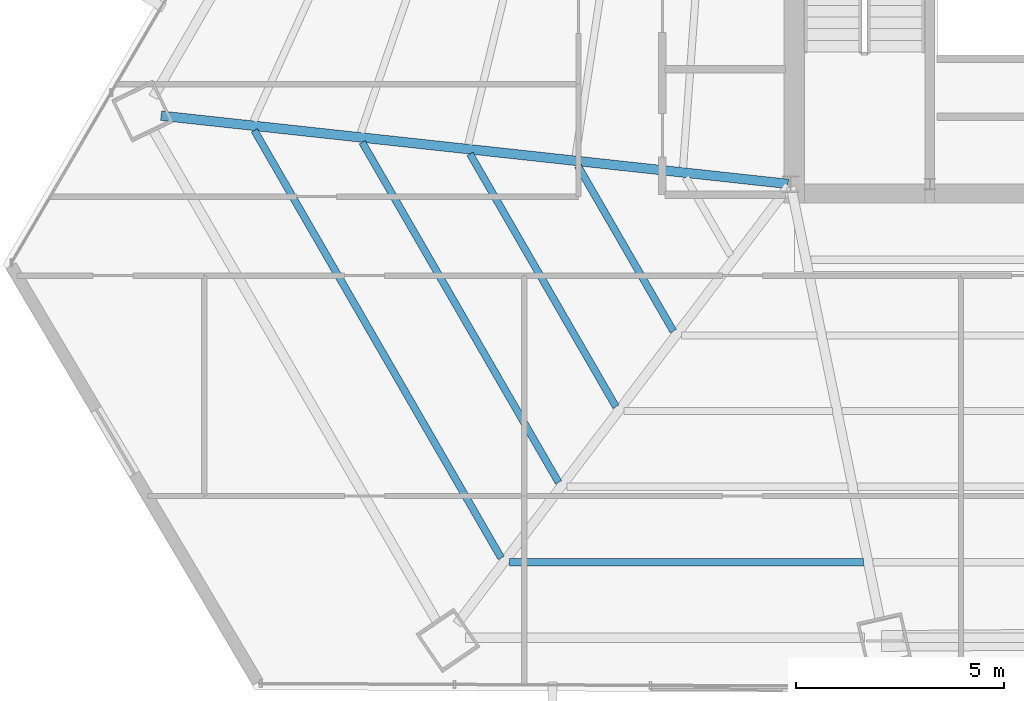
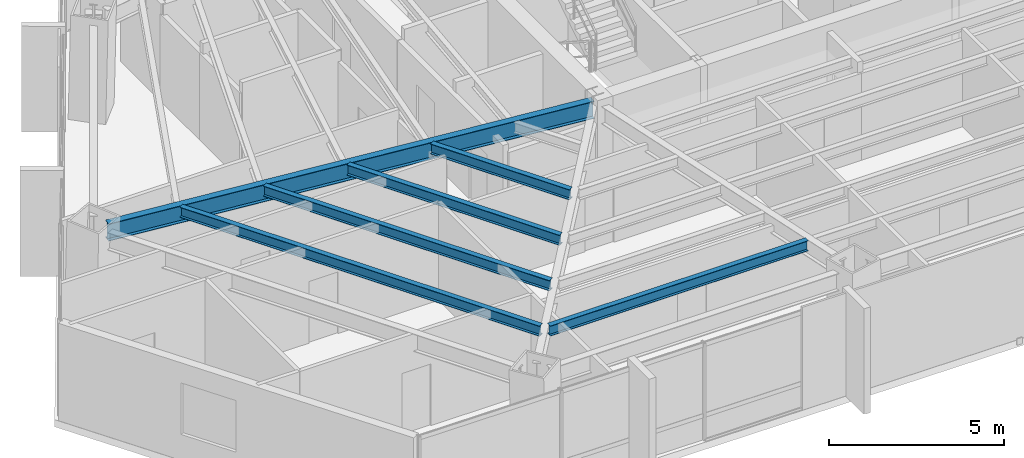
# One storey, part 7 of 35: 6 beams.
"""IFC4 building model written with IfcOpenShell, lengths in metres."""

from ifc_helpers import new_model, si_unit, direction, frame, origin, origin_2d, place, context, subcontext, project, spatial, i_section, extrude, source, transform, mapped, material, material_profile, profile_set, type_object, type_shapes, element, save


model = new_model("IFC4")

# Units and contexts
model_context = context("Model", 3, precision=1e-05, world=origin(), true_north=direction((0.0, 1.0)))
body_context = subcontext(model_context, "Body", "Model", "MODEL_VIEW")
ifc_project = project(units=[si_unit("LENGTHUNIT", "METRE"), si_unit("AREAUNIT", "SQUARE_METRE"), si_unit("VOLUMEUNIT", "CUBIC_METRE"), si_unit("PLANEANGLEUNIT", "RADIAN"), si_unit("MASSUNIT", "GRAM", prefix="KILO")], contexts=[model_context])

# Site, building, storey
site_placement = place(None, origin())
site = spatial("IfcSite", under=ifc_project, at=site_placement, CompositionType="ELEMENT")
building_placement = place(site_placement, origin())
building = spatial("IfcBuilding", under=site, at=building_placement, Name="Caelisora Broadcast Tower", CompositionType="ELEMENT")
storey_placement = place(building_placement, frame((0.0, 0.0, 109.050048828125)))
storey = spatial("IfcBuildingStorey", under=building, at=storey_placement, Name="L28", CompositionType="ELEMENT", Elevation=109.050048828125)

# Beams
ifc_material = material(Name="Steel Grade 350 (AS/NZS 3679.1)", Category="steel")
ifc_material_profile_1 = material_profile(ifc_material, i_section(OverallWidth=0.22802734375, OverallDepth=0.602294921875, WebThickness=0.010498046875, FlangeThickness=0.014892578125, at=origin_2d()), Name="Steel Grade 350 (AS/NZS 3679.1)")
ifc_profile_set_1 = profile_set([ifc_material_profile_1], Name="Steel Grade 350 (AS/NZS 3679.1)")
beam_type_1 = type_object("IfcBeamType", Name="PG04", PredefinedType="BEAM", material=ifc_profile_set_1)
shared_shape_1 = source(origin(), body_context, "Body", "SweptSolid", [
    extrude(i_section(OverallWidth=0.22802734375, OverallDepth=0.602294921875, WebThickness=0.010498046875, FlangeThickness=0.014892578125, at=origin_2d()), origin(), (0.0, 0.0, 1.0), 15.1689453125),
])
type_shapes(beam_type_1, [shared_shape_1])
beam_1_placement = place(storey_placement, frame((30.4404296875, 17.406494140625, 3.098876953125), z_axis=(-0.994133934066, 0.108156003706, 0.0), x_axis=(-0.108156003706, -0.994133934066, 0.0)))
element("IfcBeam", 1, at=beam_1_placement, inside=storey, type_object=beam_type_1, Name="L28 beam PG04", PredefinedType="BEAM", context=body_context, shape_type="MappedRepresentation", body=[
    mapped(shared_shape_1, transform((0.0, 0.0, 0.0), scale=1.0)),
])
ifc_material_profile_2 = material_profile(ifc_material, i_section(OverallWidth=0.172119140625, OverallDepth=0.358642578125, WebThickness=0.008056640625, FlangeThickness=0.012939453125, at=origin_2d()), Name="Steel Grade 350 (AS/NZS 3679.1)")
ifc_profile_set_2 = profile_set([ifc_material_profile_2], Name="Steel Grade 350 (AS/NZS 3679.1)")
beam_type_2 = type_object("IfcBeamType", Name="SB02", PredefinedType="JOIST", material=ifc_profile_set_2)
shared_shape_2 = source(origin(), body_context, "Body", "SweptSolid", [
    extrude(i_section(OverallWidth=0.172119140625, OverallDepth=0.358642578125, WebThickness=0.008056640625, FlangeThickness=0.012939453125, at=origin_2d()), origin(), (0.0, 0.0, 1.0), 4.593505859375),
])
beam_2_placement = place(storey_placement, frame((25.38330078125, 17.844482421875, 3.220703125), z_axis=(0.500026097828, -0.866010335672, 0.0), x_axis=(0.866010335672, 0.500026097828, 0.0)))
element("IfcBeam", 2, at=beam_2_placement, inside=storey, type_object=beam_type_2, Name="L28 beam SB02", PredefinedType="JOIST", context=body_context, shape_type="MappedRepresentation", body=[
    mapped(shared_shape_2, transform((0.0, 0.0, 0.0), scale=1.0)),
])
shared_shape_3 = source(origin(), body_context, "Body", "SweptSolid", [
    extrude(i_section(OverallWidth=0.172119140625, OverallDepth=0.358642578125, WebThickness=0.008056640625, FlangeThickness=0.012939453125, at=origin_2d()), origin(), (0.0, 0.0, 1.0), 7.01953125),
])
beam_3_placement = place(storey_placement, frame((22.79052734375, 18.12646484375, 3.220703125), z_axis=(0.499999433879, -0.866025730634, 0.0), x_axis=(0.866025730634, 0.499999433879, 0.0)))
element("IfcBeam", 3, at=beam_3_placement, inside=storey, type_object=beam_type_2, Name="L28 beam SB02", PredefinedType="JOIST", context=body_context, shape_type="MappedRepresentation", body=[
    mapped(shared_shape_3, transform((0.0, 0.0, 0.0), scale=1.0)),
])
shared_shape_4 = source(origin(), body_context, "Body", "SweptSolid", [
    extrude(i_section(OverallWidth=0.172119140625, OverallDepth=0.358642578125, WebThickness=0.008056640625, FlangeThickness=0.012939453125, at=origin_2d()), origin(), (0.0, 0.0, 1.0), 9.44580078125),
])
beam_4_placement = place(storey_placement, frame((20.19775390625, 18.40869140625, 3.220703125), z_axis=(0.499994660107, -0.866028486751, 0.0), x_axis=(0.866028486751, 0.499994660107, 0.0)))
element("IfcBeam", 4, at=beam_4_placement, inside=storey, type_object=beam_type_2, Name="L28 beam SB02", PredefinedType="JOIST", context=body_context, shape_type="MappedRepresentation", body=[
    mapped(shared_shape_4, transform((0.0, 0.0, 0.0), scale=1.0)),
])
shared_shape_5 = source(origin(), body_context, "Body", "SweptSolid", [
    extrude(i_section(OverallWidth=0.172119140625, OverallDepth=0.358642578125, WebThickness=0.008056640625, FlangeThickness=0.012939453125, at=origin_2d()), origin(), (0.0, 0.0, 1.0), 11.8720703125),
])
beam_5_placement = place(storey_placement, frame((17.604736328125, 18.690673828125, 3.220703125), z_axis=(0.50001616505, -0.866016070687, 0.0), x_axis=(0.866016070687, 0.50001616505, 0.0)))
element("IfcBeam", 5, at=beam_5_placement, inside=storey, type_object=beam_type_2, Name="L28 beam SB02", PredefinedType="JOIST", context=body_context, shape_type="MappedRepresentation", body=[
    mapped(shared_shape_5, transform((0.0, 0.0, 0.0), scale=1.0)),
])
shared_shape_6 = source(origin(), body_context, "Body", "SweptSolid", [
    extrude(i_section(OverallWidth=0.172119140625, OverallDepth=0.358642578125, WebThickness=0.008056640625, FlangeThickness=0.012939453125, at=origin_2d()), origin(), (0.0, 0.0, 1.0), 8.51220703125),
])
type_shapes(beam_type_2, [shared_shape_2, shared_shape_3, shared_shape_4, shared_shape_5, shared_shape_6])
beam_6_placement = place(storey_placement, frame((23.741455078125, 8.3046875, 3.220703125), z_axis=(1.0, 0.0, 0.0), x_axis=(0.0, 1.0, 0.0)))
element("IfcBeam", 6, at=beam_6_placement, inside=storey, type_object=beam_type_2, Name="L28 beam SB02", PredefinedType="JOIST", context=body_context, shape_type="MappedRepresentation", body=[
    mapped(shared_shape_6, transform((0.0, 0.0, 0.0), scale=1.0)),
])

save(model, "model.ifc")
